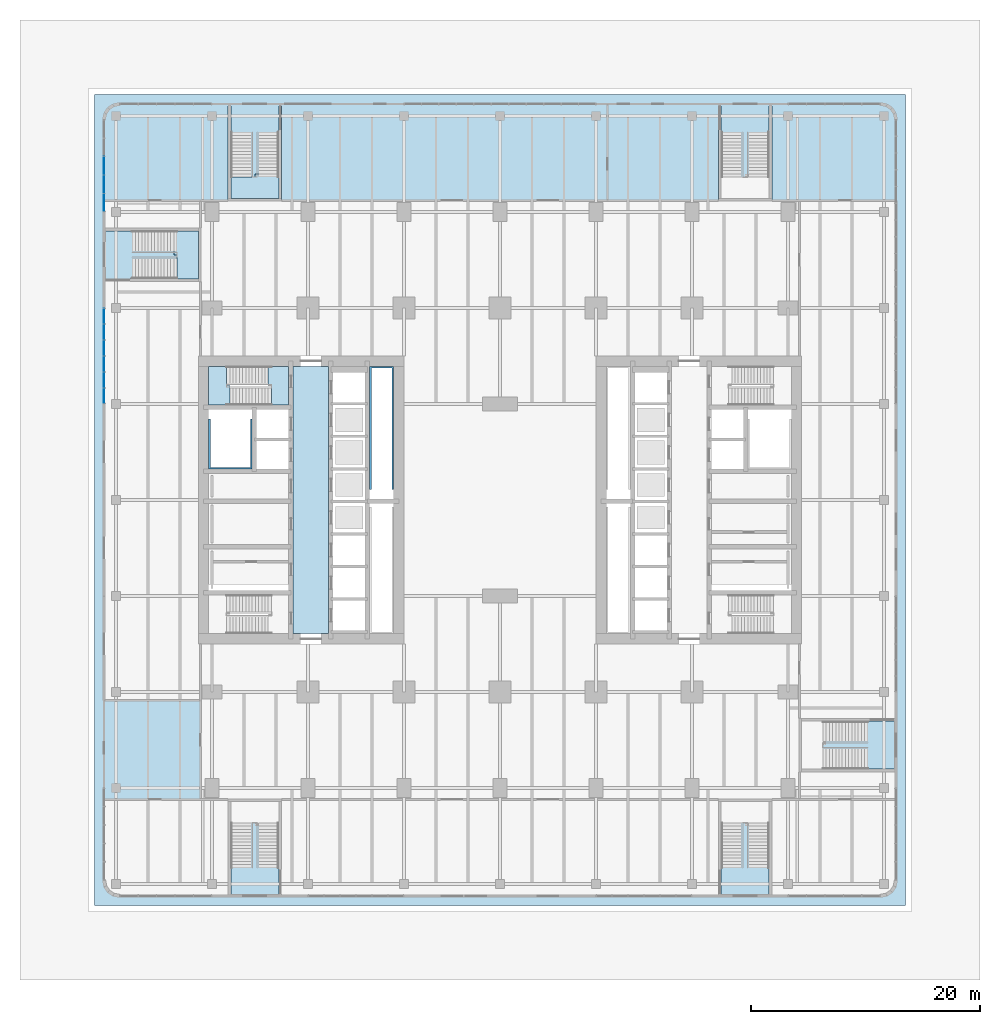
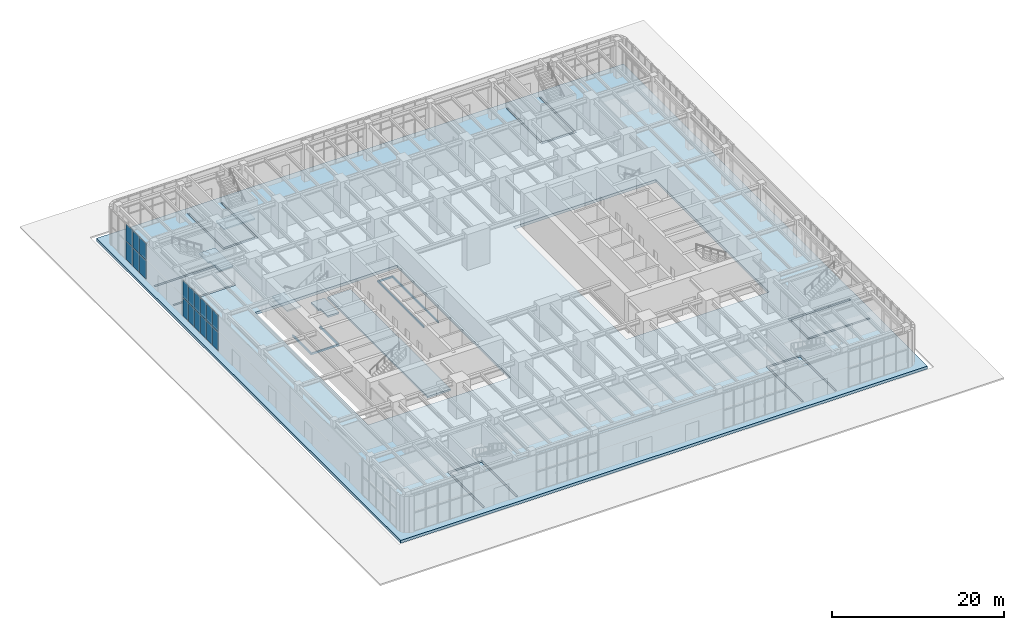
# One storey, part 14 of 31: 18 plates, 8 slabs, 5 elements without a shape of their own.
"""IFC4 building model written with IfcOpenShell, lengths in metres."""

from ifc_helpers import new_model, si_unit, direction, frame, origin, origin_2d, place, context, subcontext, project, spatial, polyline, rectangle, outline, extrude, material, layer, layer_set, type_object, element, aggregate, save


model = new_model("IFC4")

# Units and contexts
model_context = context("Model", 3, precision=1e-05, world=origin(), true_north=direction((0.0, 1.0)))
body_context = subcontext(model_context, "Body", "Model", "MODEL_VIEW")
ifc_project = project(units=[si_unit("LENGTHUNIT", "METRE"), si_unit("AREAUNIT", "SQUARE_METRE"), si_unit("VOLUMEUNIT", "CUBIC_METRE"), si_unit("PLANEANGLEUNIT", "RADIAN"), si_unit("MASSUNIT", "GRAM", prefix="KILO")], contexts=[model_context])

# Site, building, storey
site_placement = place(None, origin())
site = spatial("IfcSite", under=ifc_project, at=site_placement, CompositionType="ELEMENT")
building_placement = place(site_placement, origin())
building = spatial("IfcBuilding", under=site, at=building_placement, Name="Claustro Exchange Tower", CompositionType="ELEMENT")
storey_placement = place(building_placement, origin())
storey = spatial("IfcBuildingStorey", under=building, at=storey_placement, Name="L00", CompositionType="ELEMENT", Elevation=0.0)

# Curtain wall, plates
ifc_material_1 = material(Name="Aluminium frame, clear double glazing", Category="aluminium")
curtain_wall_type = type_object("IfcCurtainWallType", Name="CW1 storefront curtain wall", PredefinedType="USERDEFINED", material=ifc_material_1)
curtain_wall_1_placement = place(storey_placement, origin())
curtain_wall_1 = element("IfcCurtainWall", 1, at=curtain_wall_1_placement, inside=storey, type_object=curtain_wall_type, Name="Curtain wall CW1 L00", ObjectType="STICK CURTAIN WALL", PredefinedType="USERDEFINED")
ifc_material_2 = material(Name="Clear double glazing", Category="glass")
ifc_layer_1 = layer(ifc_material_2, 0.031982421875)
ifc_layer_set_1 = layer_set([ifc_layer_1], Name="Clear double glazing")
plate_type = type_object("IfcPlateType", Name="CW1-P 32 glazed panel", PredefinedType="CURTAIN_PANEL", material=ifc_layer_set_1)
plate_1_placement = place(storey_placement, frame((-9.449951171875, 34.31884765625, 0.074951171875), z_axis=(0.0, 0.0, 1.0), x_axis=(0.0, 1.0, 0.0)))
plate_1 = element("IfcPlate", 2, at=plate_1_placement, type_object=plate_type, Name="CW1 panel 1.1", PredefinedType="CURTAIN_PANEL", context=body_context, shape_type="SweptSolid", body=[
    extrude(rectangle(XDim=1.28759765625, YDim=0.031982421875, at=origin_2d()), origin(), (0.0, 0.0, 1.0), 2.58740234375),
])
plate_2_placement = place(storey_placement, frame((-9.449951171875, 34.31884765625, 2.7373046875), z_axis=(0.0, 0.0, 1.0), x_axis=(0.0, 1.0, 0.0)))
plate_2 = element("IfcPlate", 3, at=plate_2_placement, type_object=plate_type, Name="CW1 panel 1.2", PredefinedType="CURTAIN_PANEL", context=body_context, shape_type="SweptSolid", body=[
    extrude(rectangle(XDim=1.28759765625, YDim=0.031982421875, at=origin_2d()), origin(), (0.0, 0.0, 1.0), 2.387451171875),
])
plate_3_placement = place(storey_placement, frame((-9.449951171875, 35.699951171875, 0.074951171875), z_axis=(0.0, 0.0, 1.0), x_axis=(0.0, 1.0, 0.0)))
plate_3 = element("IfcPlate", 4, at=plate_3_placement, type_object=plate_type, Name="CW1 panel 2.1", PredefinedType="CURTAIN_PANEL", context=body_context, shape_type="SweptSolid", body=[
    extrude(rectangle(XDim=1.324951171875, YDim=0.031982421875, at=origin_2d()), origin(), (0.0, 0.0, 1.0), 2.58740234375),
])
plate_4_placement = place(storey_placement, frame((-9.449951171875, 35.699951171875, 2.7373046875), z_axis=(0.0, 0.0, 1.0), x_axis=(0.0, 1.0, 0.0)))
plate_4 = element("IfcPlate", 5, at=plate_4_placement, type_object=plate_type, Name="CW1 panel 2.2", PredefinedType="CURTAIN_PANEL", context=body_context, shape_type="SweptSolid", body=[
    extrude(rectangle(XDim=1.324951171875, YDim=0.031982421875, at=origin_2d()), origin(), (0.0, 0.0, 1.0), 2.387451171875),
])
plate_5_placement = place(storey_placement, frame((-9.449951171875, 37.10009765625, 0.074951171875), z_axis=(0.0, 0.0, 1.0), x_axis=(0.0, 1.0, 0.0)))
plate_5 = element("IfcPlate", 6, at=plate_5_placement, type_object=plate_type, Name="CW1 panel 3.1", PredefinedType="CURTAIN_PANEL", context=body_context, shape_type="SweptSolid", body=[
    extrude(rectangle(XDim=1.324951171875, YDim=0.031982421875, at=origin_2d()), origin(), (0.0, 0.0, 1.0), 2.58740234375),
])
plate_6_placement = place(storey_placement, frame((-9.449951171875, 37.10009765625, 2.7373046875), z_axis=(0.0, 0.0, 1.0), x_axis=(0.0, 1.0, 0.0)))
plate_6 = element("IfcPlate", 7, at=plate_6_placement, type_object=plate_type, Name="CW1 panel 3.2", PredefinedType="CURTAIN_PANEL", context=body_context, shape_type="SweptSolid", body=[
    extrude(rectangle(XDim=1.324951171875, YDim=0.031982421875, at=origin_2d()), origin(), (0.0, 0.0, 1.0), 2.387451171875),
])
plate_7_placement = place(storey_placement, frame((-9.449951171875, 38.5, 0.074951171875), z_axis=(0.0, 0.0, 1.0), x_axis=(0.0, 1.0, 0.0)))
plate_7 = element("IfcPlate", 8, at=plate_7_placement, type_object=plate_type, Name="CW1 panel 4.1", PredefinedType="CURTAIN_PANEL", context=body_context, shape_type="SweptSolid", body=[
    extrude(rectangle(XDim=1.324951171875, YDim=0.031982421875, at=origin_2d()), origin(), (0.0, 0.0, 1.0), 2.58740234375),
])
plate_8_placement = place(storey_placement, frame((-9.449951171875, 38.5, 2.7373046875), z_axis=(0.0, 0.0, 1.0), x_axis=(0.0, 1.0, 0.0)))
plate_8 = element("IfcPlate", 9, at=plate_8_placement, type_object=plate_type, Name="CW1 panel 4.2", PredefinedType="CURTAIN_PANEL", context=body_context, shape_type="SweptSolid", body=[
    extrude(rectangle(XDim=1.324951171875, YDim=0.031982421875, at=origin_2d()), origin(), (0.0, 0.0, 1.0), 2.387451171875),
])
plate_9_placement = place(storey_placement, frame((-9.449951171875, 39.89990234375, 0.074951171875), z_axis=(0.0, 0.0, 1.0), x_axis=(0.0, 1.0, 0.0)))
plate_9 = element("IfcPlate", 10, at=plate_9_placement, type_object=plate_type, Name="CW1 panel 5.1", PredefinedType="CURTAIN_PANEL", context=body_context, shape_type="SweptSolid", body=[
    extrude(rectangle(XDim=1.324951171875, YDim=0.031982421875, at=origin_2d()), origin(), (0.0, 0.0, 1.0), 2.58740234375),
])
plate_10_placement = place(storey_placement, frame((-9.449951171875, 39.89990234375, 2.7373046875), z_axis=(0.0, 0.0, 1.0), x_axis=(0.0, 1.0, 0.0)))
plate_10 = element("IfcPlate", 11, at=plate_10_placement, type_object=plate_type, Name="CW1 panel 5.2", PredefinedType="CURTAIN_PANEL", context=body_context, shape_type="SweptSolid", body=[
    extrude(rectangle(XDim=1.324951171875, YDim=0.031982421875, at=origin_2d()), origin(), (0.0, 0.0, 1.0), 2.387451171875),
])
plate_11_placement = place(storey_placement, frame((-9.449951171875, 41.28125, 0.074951171875), z_axis=(0.0, 0.0, 1.0), x_axis=(0.0, 1.0, 0.0)))
plate_11 = element("IfcPlate", 12, at=plate_11_placement, type_object=plate_type, Name="CW1 panel 6.1", PredefinedType="CURTAIN_PANEL", context=body_context, shape_type="SweptSolid", body=[
    extrude(rectangle(XDim=1.28759765625, YDim=0.031982421875, at=origin_2d()), origin(), (0.0, 0.0, 1.0), 2.58740234375),
])
plate_12_placement = place(storey_placement, frame((-9.449951171875, 41.28125, 2.7373046875), z_axis=(0.0, 0.0, 1.0), x_axis=(0.0, 1.0, 0.0)))
plate_12 = element("IfcPlate", 13, at=plate_12_placement, type_object=plate_type, Name="CW1 panel 6.2", PredefinedType="CURTAIN_PANEL", context=body_context, shape_type="SweptSolid", body=[
    extrude(rectangle(XDim=1.28759765625, YDim=0.031982421875, at=origin_2d()), origin(), (0.0, 0.0, 1.0), 2.387451171875),
])
aggregate(curtain_wall_1, [plate_1, plate_2, plate_3, plate_4, plate_5, plate_6, plate_7, plate_8, plate_9, plate_10, plate_11, plate_12])

curtain_wall_2_placement = place(storey_placement, origin())
curtain_wall_2 = element("IfcCurtainWall", 14, at=curtain_wall_2_placement, inside=storey, type_object=curtain_wall_type, Name="Curtain wall CW1 L00", ObjectType="STICK CURTAIN WALL", PredefinedType="USERDEFINED")
plate_13_placement = place(storey_placement, frame((-9.449951171875, 51.227294921875, 0.074951171875), z_axis=(0.0, 0.0, 1.0), x_axis=(0.0, 1.0, 0.0)))
plate_13 = element("IfcPlate", 15, at=plate_13_placement, type_object=plate_type, Name="CW1 panel 1.1", PredefinedType="CURTAIN_PANEL", context=body_context, shape_type="SweptSolid", body=[
    extrude(rectangle(XDim=1.504638671875, YDim=0.031982421875, at=origin_2d()), origin(), (0.0, 0.0, 1.0), 2.58740234375),
])
plate_14_placement = place(storey_placement, frame((-9.449951171875, 51.227294921875, 2.7373046875), z_axis=(0.0, 0.0, 1.0), x_axis=(0.0, 1.0, 0.0)))
plate_14 = element("IfcPlate", 16, at=plate_14_placement, type_object=plate_type, Name="CW1 panel 1.2", PredefinedType="CURTAIN_PANEL", context=body_context, shape_type="SweptSolid", body=[
    extrude(rectangle(XDim=1.504638671875, YDim=0.031982421875, at=origin_2d()), origin(), (0.0, 0.0, 1.0), 2.387451171875),
])
plate_15_placement = place(storey_placement, frame((-9.449951171875, 52.825439453125, 0.074951171875), z_axis=(0.0, 0.0, 1.0), x_axis=(0.0, 1.0, 0.0)))
plate_15 = element("IfcPlate", 17, at=plate_15_placement, type_object=plate_type, Name="CW1 panel 2.1", PredefinedType="CURTAIN_PANEL", context=body_context, shape_type="SweptSolid", body=[
    extrude(rectangle(XDim=1.5419921875, YDim=0.031982421875, at=origin_2d()), origin(), (0.0, 0.0, 1.0), 2.58740234375),
])
plate_16_placement = place(storey_placement, frame((-9.449951171875, 52.825439453125, 2.7373046875), z_axis=(0.0, 0.0, 1.0), x_axis=(0.0, 1.0, 0.0)))
plate_16 = element("IfcPlate", 18, at=plate_16_placement, type_object=plate_type, Name="CW1 panel 2.2", PredefinedType="CURTAIN_PANEL", context=body_context, shape_type="SweptSolid", body=[
    extrude(rectangle(XDim=1.5419921875, YDim=0.031982421875, at=origin_2d()), origin(), (0.0, 0.0, 1.0), 2.387451171875),
])
plate_17_placement = place(storey_placement, frame((-9.449951171875, 54.442626953125, 0.074951171875), z_axis=(0.0, 0.0, 1.0), x_axis=(0.0, 1.0, 0.0)))
plate_17 = element("IfcPlate", 19, at=plate_17_placement, type_object=plate_type, Name="CW1 panel 3.1", PredefinedType="CURTAIN_PANEL", context=body_context, shape_type="SweptSolid", body=[
    extrude(rectangle(XDim=1.5419921875, YDim=0.031982421875, at=origin_2d()), origin(), (0.0, 0.0, 1.0), 2.58740234375),
])
plate_18_placement = place(storey_placement, frame((-9.449951171875, 54.442626953125, 2.7373046875), z_axis=(0.0, 0.0, 1.0), x_axis=(0.0, 1.0, 0.0)))
plate_18 = element("IfcPlate", 20, at=plate_18_placement, type_object=plate_type, Name="CW1 panel 3.2", PredefinedType="CURTAIN_PANEL", context=body_context, shape_type="SweptSolid", body=[
    extrude(rectangle(XDim=1.5419921875, YDim=0.031982421875, at=origin_2d()), origin(), (0.0, 0.0, 1.0), 2.387451171875),
])
aggregate(curtain_wall_2, [plate_13, plate_14, plate_15, plate_16, plate_17, plate_18])

# Slabs
ifc_material_3 = material(Name="Concrete HA-50 (C50/60)", Category="concrete")
ifc_layer_2 = layer(ifc_material_3, 0.39990234375)
ifc_layer_set_2 = layer_set([ifc_layer_2], Name="Concrete HA-50 (C50/60)")
slab_type_1 = type_object("IfcSlabType", Name="S10 400 suspended flat slab", PredefinedType="FLOOR", material=ifc_layer_set_2)
slab_1_placement = place(storey_placement, frame((0.0, 0.0, -0.39990234375)))
element("IfcSlab", 21, at=slab_1_placement, inside=storey, type_object=slab_type_1, Name="Floor slab S10 W L00", PredefinedType="FLOOR", context=body_context, shape_type="SweptSolid", body=[
    extrude(outline(polyline([(-10.27490234375, -10.27490234375), (60.675048828125, -10.27490234375), (60.675048828125, 60.675048828125), (-10.27490234375, 60.675048828125), (-10.27490234375, -10.27490234375)]), holes=[polyline([(51.35009765625, 1.39990234375), (51.35009765625, 6.10009765625), (51.60009765625, 6.10009765625), (59.679931640625, 6.10009765625), (59.679931640625, 5.85009765625), (51.60009765625, 5.85009765625), (51.60009765625, 1.64990234375), (59.679931640625, 1.64990234375), (59.679931640625, 1.39990234375), (51.60009765625, 1.39990234375), (51.35009765625, 1.39990234375)]), polyline([(52.199951171875, 38.39990234375), (52.199951171875, 12.0), (33.0, 12.0), (33.0, 38.39990234375), (52.199951171875, 38.39990234375)]), polyline([(44.550048828125, 51.60009765625), (48.75, 51.60009765625), (48.75, 59.679931640625), (49.0, 59.679931640625), (49.0, 51.60009765625), (49.0, 51.35009765625), (44.300048828125, 51.35009765625), (44.300048828125, 51.60009765625), (44.300048828125, 59.679931640625), (44.550048828125, 59.679931640625), (44.550048828125, 51.60009765625)]), polyline([(49.0, -9.280029296875), (48.75, -9.280029296875), (48.75, -1.199951171875), (44.550048828125, -1.199951171875), (44.550048828125, -9.280029296875), (44.300048828125, -9.280029296875), (44.300048828125, -1.199951171875), (44.300048828125, -0.949951171875), (49.0, -0.949951171875), (49.0, -1.199951171875), (49.0, -9.280029296875)]), polyline([(17.39990234375, 38.39990234375), (17.39990234375, 12.0), (-1.800048828125, 12.0), (-1.800048828125, 38.39990234375), (17.39990234375, 38.39990234375)]), polyline([(1.64990234375, 51.60009765625), (5.85009765625, 51.60009765625), (5.85009765625, 59.679931640625), (6.10009765625, 59.679931640625), (6.10009765625, 51.60009765625), (6.10009765625, 51.35009765625), (1.39990234375, 51.35009765625), (1.39990234375, 51.60009765625), (1.39990234375, 59.679931640625), (1.64990234375, 59.679931640625), (1.64990234375, 51.60009765625)]), polyline([(6.10009765625, -9.280029296875), (5.85009765625, -9.280029296875), (5.85009765625, -1.199951171875), (1.64990234375, -1.199951171875), (1.64990234375, -9.280029296875), (1.39990234375, -9.280029296875), (1.39990234375, -1.199951171875), (1.39990234375, -0.949951171875), (6.10009765625, -0.949951171875), (6.10009765625, -1.199951171875), (6.10009765625, -9.280029296875)]), polyline([(-9.280029296875, 49.0), (-1.199951171875, 49.0), (-0.949951171875, 49.0), (-0.949951171875, 44.300048828125), (-1.199951171875, 44.300048828125), (-9.280029296875, 44.300048828125), (-9.280029296875, 44.550048828125), (-1.199951171875, 44.550048828125), (-1.199951171875, 48.75), (-9.280029296875, 48.75), (-9.280029296875, 49.0)])]), origin(), (0.0, 0.0, 1.0), 0.39990234375),
])
ifc_material_4 = material(Name="Concrete HA-50 (C50/60)", Category="concrete")
ifc_layer_3 = layer(ifc_material_4, 0.25)
ifc_layer_set_3 = layer_set([ifc_layer_3], Name="Concrete HA-50 (C50/60)")
slab_type_2 = type_object("IfcSlabType", Name="S7 250 core floor slab", PredefinedType="FLOOR", material=ifc_layer_set_3)
slab_2_placement = place(storey_placement, frame((0.0, 0.0, -0.25)))
element("IfcSlab", 22, at=slab_2_placement, inside=storey, type_object=slab_type_2, Name="Core floor slab S7 W core L00", PredefinedType="FLOOR", context=body_context, shape_type="SweptSolid", body=[
    extrude(outline(polyline([(6.699951171875, 33.5), (6.699951171875, 36.89990234375), (4.919921875, 36.89990234375), (4.919921875, 35.199951171875), (5.195068359375, 35.199951171875), (5.195068359375, 33.5), (6.699951171875, 33.5)])), origin(), (0.0, 0.0, 1.0), 0.25),
])
slab_3_placement = place(storey_placement, frame((0.0, 0.0, -0.25)))
element("IfcSlab", 23, at=slab_3_placement, inside=storey, type_object=slab_type_2, Name="Core floor slab S7 W core L00", PredefinedType="FLOOR", context=body_context, shape_type="SweptSolid", body=[
    extrude(outline(polyline([(10.199951171875, 13.5), (10.199951171875, 36.89990234375), (7.10009765625, 36.89990234375), (7.10009765625, 13.5), (10.199951171875, 13.5)])), origin(), (0.0, 0.0, 1.0), 0.25),
])
slab_4_placement = place(storey_placement, frame((0.0, 0.0, -0.25)))
element("IfcSlab", 24, at=slab_4_placement, inside=storey, type_object=slab_type_2, Name="Core floor slab S7 W core L00", PredefinedType="FLOOR", context=body_context, shape_type="SweptSolid", body=[
    extrude(outline(polyline([(13.800048828125, 36.89990234375), (13.800048828125, 26.10009765625), (13.949951171875, 26.10009765625), (13.949951171875, 36.75), (15.75, 36.75), (15.75, 26.10009765625), (15.89990234375, 26.10009765625), (15.89990234375, 36.89990234375), (13.800048828125, 36.89990234375)])), origin(), (0.0, 0.0, 1.0), 0.25),
])
slab_5_placement = place(storey_placement, frame((0.0, 0.0, -0.25)))
element("IfcSlab", 25, at=slab_5_placement, inside=storey, type_object=slab_type_2, Name="Core floor slab S7 W core L00", PredefinedType="FLOOR", context=body_context, shape_type="SweptSolid", body=[
    extrude(outline(polyline([(-0.14990234375, 32.300048828125), (-0.300048828125, 32.300048828125), (-0.300048828125, 27.89990234375), (3.5, 27.89990234375), (3.5, 32.300048828125), (3.35009765625, 32.300048828125), (3.35009765625, 28.050048828125), (-0.14990234375, 28.050048828125), (-0.14990234375, 32.300048828125)])), origin(), (0.0, 0.0, 1.0), 0.25),
])

# Stair, slab
ifc_material_5 = material(Name="Concrete HA-30 (C30/37), precast", Category="concrete")
stair_type_1 = type_object("IfcStairType", Name="ST3 half-turn stair, 30 risers of 180", PredefinedType="HALF_TURN_STAIR", material=ifc_material_5)
stair_1_placement = place(storey_placement, origin())
stair_1 = element("IfcStair", 26, at=stair_1_placement, inside=storey, type_object=stair_type_1, Name="Stair STWB L00", PredefinedType="HALF_TURN_STAIR")
ifc_material_6 = material(Name="Concrete HA-30 (C30/37), precast", Category="concrete")
ifc_layer_4 = layer(ifc_material_6, 0.199951171875)
ifc_layer_set_4 = layer_set([ifc_layer_4], Name="Concrete HA-30 (C30/37), precast")
slab_type_3 = type_object("IfcSlabType", Name="S9 200 stair landing", PredefinedType="LANDING", material=ifc_layer_set_4)
slab_6_placement = place(storey_placement, frame((0.0, 0.0, 2.5)))
slab_6 = element("IfcSlab", 27, at=slab_6_placement, type_object=slab_type_3, Name="STWB landing 1", PredefinedType="LANDING", context=body_context, shape_type="SweptSolid", body=[
    extrude(outline(polyline([(1.56005859375, 35.199951171875), (1.56005859375, 33.5), (1.284912109375, 33.5), (1.280029296875, 33.5), (-0.300048828125, 33.5), (-0.300048828125, 36.89990234375), (1.284912109375, 36.89990234375), (1.284912109375, 35.199951171875), (1.56005859375, 35.199951171875)])), origin(), (0.0, 0.0, 1.0), 0.199951171875),
])
aggregate(stair_1, [slab_6])

ifc_material_7 = material(Name="Concrete HA-30 (C30/37), precast", Category="concrete")
stair_type_2 = type_object("IfcStairType", Name="ST4 half-turn podium escape stair, 30 risers of 180, 1800 flights", PredefinedType="HALF_TURN_STAIR", material=ifc_material_7)
stair_2_placement = place(storey_placement, origin())
stair_2 = element("IfcStair", 28, at=stair_2_placement, inside=storey, type_object=stair_type_2, Name="Stair STP3 L00", PredefinedType="HALF_TURN_STAIR")
slab_7_placement = place(storey_placement, frame((0.0, 0.0, 2.5)))
slab_7 = element("IfcSlab", 29, at=slab_7_placement, type_object=slab_type_3, Name="STP3 landing 1", PredefinedType="LANDING", context=body_context, shape_type="SweptSolid", body=[
    extrude(outline(polyline([(5.85009765625, 51.60009765625), (1.64990234375, 51.60009765625), (1.64990234375, 53.465087890625), (3.75, 53.465087890625), (3.75, 53.739990234375), (5.85009765625, 53.739990234375), (5.85009765625, 53.465087890625), (5.85009765625, 53.4599609375), (5.85009765625, 51.60009765625)])), origin(), (0.0, 0.0, 1.0), 0.199951171875),
])
aggregate(stair_2, [slab_7])

stair_3_placement = place(storey_placement, origin())
stair_3 = element("IfcStair", 30, at=stair_3_placement, inside=storey, type_object=stair_type_2, Name="Stair STP5 L00", PredefinedType="HALF_TURN_STAIR")
slab_8_placement = place(storey_placement, frame((0.0, 0.0, 2.5)))
slab_8 = element("IfcSlab", 31, at=slab_8_placement, type_object=slab_type_3, Name="STP5 landing 1", PredefinedType="LANDING", context=body_context, shape_type="SweptSolid", body=[
    extrude(outline(polyline([(-1.199951171875, 48.75), (-1.199951171875, 44.550048828125), (-3.06494140625, 44.550048828125), (-3.06494140625, 46.64990234375), (-3.340087890625, 46.64990234375), (-3.340087890625, 48.75), (-3.06494140625, 48.75), (-3.06005859375, 48.75), (-1.199951171875, 48.75)])), origin(), (0.0, 0.0, 1.0), 0.199951171875),
])
aggregate(stair_3, [slab_8])

save(model, "model.ifc")
